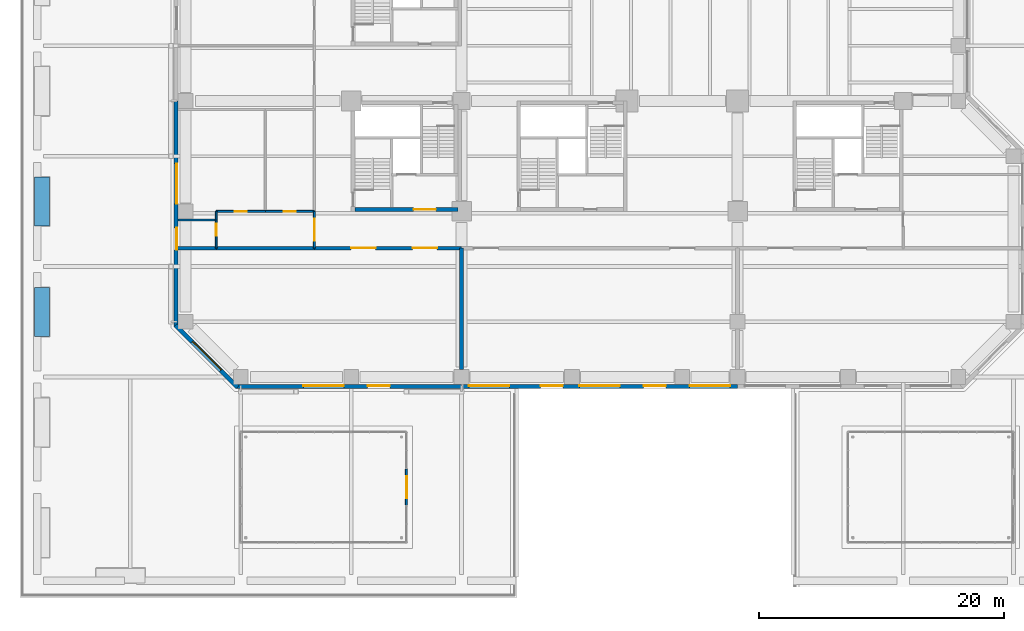
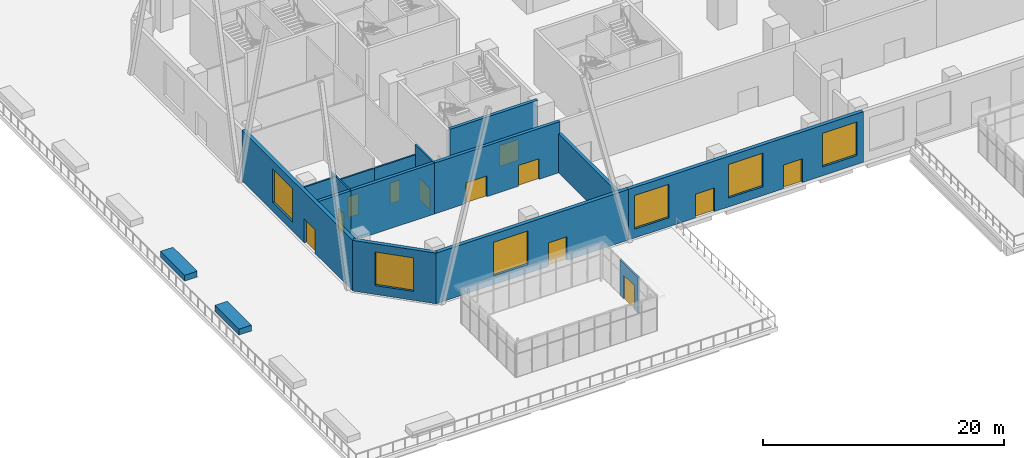
# One storey, part 20 of 33: 18 walls, 12 doors, 6 windows, 18 openings.
"""IFC4 building model written with IfcOpenShell, lengths in metres."""

from ifc_helpers import new_model, si_unit, direction, frame, frame_2d, origin, place, context, subcontext, project, spatial, rectangle, extrude, material, layer, layer_set, constituent, constituent_set, type_object, element, fill, save


model = new_model("IFC4")

# Units and contexts
model_context = context("Model", 3, precision=1e-05, world=origin(), true_north=direction((0.0, 1.0)))
body_context = subcontext(model_context, "Body", "Model", "MODEL_VIEW")
ifc_project = project(units=[si_unit("LENGTHUNIT", "METRE"), si_unit("AREAUNIT", "SQUARE_METRE"), si_unit("VOLUMEUNIT", "CUBIC_METRE"), si_unit("PLANEANGLEUNIT", "RADIAN"), si_unit("MASSUNIT", "GRAM", prefix="KILO")], contexts=[model_context])

# Site, building, storey
site_placement = place(None, origin())
site = spatial("IfcSite", under=ifc_project, at=site_placement, CompositionType="ELEMENT")
building_placement = place(site_placement, origin())
building = spatial("IfcBuilding", under=site, at=building_placement, Name="Quoin Convention Tower", CompositionType="ELEMENT")
storey_placement = place(building_placement, frame((0.0, 0.0, 8.0)))
storey = spatial("IfcBuildingStorey", under=building, at=storey_placement, Name="L01", CompositionType="ELEMENT", Elevation=8.0)

# Walls
ifc_material_1 = material(Name="Plasterboard")
ifc_layer_1 = layer(ifc_material_1, 0.012451171875, Name="Finish")
ifc_material_2 = material(Name="Steel stud framing", Category="steel")
ifc_layer_2 = layer(ifc_material_2, 0.27490234375, Name="Structure")
ifc_layer_3 = layer(ifc_material_1, 0.012451171875, Name="Finish")
ifc_layer_set_1 = layer_set([ifc_layer_1, ifc_layer_2, ifc_layer_3], Name="Steel stud framing")
wall_type_1 = type_object("IfcWallType", Name="Acoustic wall 300", PredefinedType="PARTITIONING", material=ifc_layer_set_1)
wall_1_placement = place(storey_placement, frame((12.89990234375, 28.5, 0.0), z_axis=(0.0, 0.0, 1.0), x_axis=(1.0, 0.0, 0.0)))
element("IfcWall", 1, at=wall_1_placement, inside=storey, type_object=wall_type_1, Name="pw-L01-004", PredefinedType="PARTITIONING", context=body_context, shape_type="SweptSolid", body=[
    extrude(rectangle(XDim=3.10009765625, YDim=0.300048828125, at=frame_2d((1.550048828125, 0.0))), origin(), (0.0, 0.0, 1.0), 5.14990234375),
])
wall_2_placement = place(storey_placement, frame((16.0, 28.5, 0.0), z_axis=(0.0, 0.0, 1.0), x_axis=(1.0, 0.0, 0.0)))
element("IfcWall", 2, at=wall_2_placement, inside=storey, type_object=wall_type_1, Name="pw-L01-005", PredefinedType="PARTITIONING", context=body_context, shape_type="SweptSolid", body=[
    extrude(rectangle(XDim=8.0, YDim=0.300048828125, at=frame_2d((4.0, 0.0))), origin(), (0.0, 0.0, 1.0), 5.14990234375),
])

# Wall, openings, doors
wall_3_placement = place(storey_placement, frame((24.0, 28.5, 0.0), z_axis=(0.0, 0.0, 1.0), x_axis=(1.0, 0.0, 0.0)))
wall_3 = element("IfcWall", 3, at=wall_3_placement, inside=storey, type_object=wall_type_1, Name="pw-L01-007", PredefinedType="PARTITIONING", context=body_context, shape_type="SweptSolid", body=[
    extrude(rectangle(XDim=12.0, YDim=0.300048828125, at=frame_2d((6.0, 0.0))), origin(), (0.0, 0.0, 1.0), 5.14990234375),
])
opening_1_placement = place(wall_3_placement, frame((3.0, 0.0, 0.0)))
opening_1 = element("IfcOpeningElement", 4, at=opening_1_placement, cuts=wall_3, Name="Opening DPD1-02", PredefinedType="OPENING", context=body_context, shape_type="SweptSolid", body=[
    extrude(rectangle(XDim=2.0, YDim=2.10009765625, at=frame_2d((1.0, 1.050048828125))), frame((0.0, 0.159912109375, 0.0), z_axis=(0.0, -1.0, 0.0), x_axis=(1.0, 0.0, 0.0)), (0.0, 0.0, 1.0), 0.320068359375),
])
opening_2_placement = place(wall_3_placement, frame((8.0, 0.0, 0.0)))
opening_2 = element("IfcOpeningElement", 5, at=opening_2_placement, cuts=wall_3, Name="Opening DPD1-03", PredefinedType="OPENING", context=body_context, shape_type="SweptSolid", body=[
    extrude(rectangle(XDim=2.0, YDim=2.10009765625, at=frame_2d((1.0, 1.050048828125))), frame((0.0, 0.159912109375, 0.0), z_axis=(0.0, -1.0, 0.0), x_axis=(1.0, 0.0, 0.0)), (0.0, 0.0, 1.0), 0.320068359375),
])
ifc_material_3 = material(Name="Steel door leaf", Category="steel")
door_type_1 = type_object("IfcDoorType", Name="Double leaf door 2000", OperationType="DOUBLE_DOOR_SINGLE_SWING", PredefinedType="DOOR", material=ifc_material_3)
door_1_placement = place(opening_1_placement, origin())
door_1 = element("IfcDoor", 6, at=door_1_placement, inside=storey, type_object=door_type_1, Name="dr-L01-001", OperationType="DOUBLE_DOOR_SINGLE_SWING", OverallHeight=2.10009765625, OverallWidth=2.0, PredefinedType="DOOR", context=body_context, shape_type="SweptSolid", body=[
    extrude(rectangle(XDim=2.0, YDim=2.10009765625, at=frame_2d((1.0, 1.050048828125))), frame((0.0, 0.02490234375, 0.0), z_axis=(0.0, -1.0, 0.0), x_axis=(1.0, 0.0, 0.0)), (0.0, 0.0, 1.0), 0.050048828125),
])
fill(opening_1, door_1)
door_2_placement = place(opening_2_placement, origin())
door_2 = element("IfcDoor", 7, at=door_2_placement, inside=storey, type_object=door_type_1, Name="dr-L01-002", OperationType="DOUBLE_DOOR_SINGLE_SWING", OverallHeight=2.10009765625, OverallWidth=2.0, PredefinedType="DOOR", context=body_context, shape_type="SweptSolid", body=[
    extrude(rectangle(XDim=2.0, YDim=2.10009765625, at=frame_2d((1.0, 1.050048828125))), frame((0.0, 0.02490234375, 0.0), z_axis=(0.0, -1.0, 0.0), x_axis=(1.0, 0.0, 0.0)), (0.0, 0.0, 1.0), 0.050048828125),
])
fill(opening_2, door_2)

# Wall
ifc_layer_4 = layer(ifc_material_1, 0.012451171875, Name="Finish")
ifc_layer_5 = layer(ifc_material_2, 0.27490234375, Name="Structure")
ifc_layer_6 = layer(ifc_material_1, 0.012451171875, Name="Finish")
ifc_layer_set_2 = layer_set([ifc_layer_4, ifc_layer_5, ifc_layer_6], Name="Steel stud framing")
wall_type_2 = type_object("IfcWallType", Name="Acoustic wall 300 under beam 1200", PredefinedType="PARTITIONING", material=ifc_layer_set_2)
wall_4_placement = place(storey_placement, frame((36.0, 18.60009765625, 0.0), z_axis=(0.0, 0.0, 1.0), x_axis=(0.0, 1.0, 0.0)))
element("IfcWall", 8, at=wall_4_placement, inside=storey, type_object=wall_type_2, Name="pw-L01-001", PredefinedType="PARTITIONING", context=body_context, shape_type="SweptSolid", body=[
    extrude(rectangle(XDim=9.89990234375, YDim=0.300048828125, at=frame_2d((4.949951171875, 0.0))), origin(), (0.0, 0.0, 1.0), 3.949951171875),
])

# Wall, opening, window
ifc_material_4 = material(Name="Brick masonry", Category="masonry")
ifc_layer_7 = layer(ifc_material_4, 0.35009765625)
ifc_layer_set_3 = layer_set([ifc_layer_7], Name="Brick masonry")
wall_type_3 = type_object("IfcWallType", Name="Brick facade wall", PredefinedType="STANDARD", material=ifc_layer_set_3)
wall_5_placement = place(storey_placement, frame((12.673583984375, 22.230224609375, 0.0), z_axis=(0.0, 0.0, 1.0), x_axis=(0.707106781187, -0.707106781187, 0.0)))
wall_5 = element("IfcWall", 9, at=wall_5_placement, inside=storey, type_object=wall_type_3, Name="fw-L01-13500_22500", PredefinedType="STANDARD", context=body_context, shape_type="SweptSolid", body=[
    extrude(rectangle(XDim=7.151123046875, YDim=0.35009765625, at=frame_2d((3.57568359375, 0.0))), origin(), (0.0, 0.0, 1.0), 5.125),
])
opening_3_placement = place(wall_5_placement, frame((1.925537109375, 0.0, 0.89990234375)))
opening_3 = element("IfcOpeningElement", 10, at=opening_3_placement, cuts=wall_5, Name="Opening W-04", PredefinedType="OPENING", context=body_context, shape_type="SweptSolid", body=[
    extrude(rectangle(XDim=3.300048828125, YDim=3.39990234375, at=frame_2d((1.64990234375, 1.699951171875))), frame((0.0, 0.18505859375, 0.0), z_axis=(0.0, -1.0, 0.0), x_axis=(1.0, 0.0, 0.0)), (0.0, 0.0, 1.0), 0.3701171875),
])
ifc_material_5 = material(Name="Aluminium", Category="aluminium")
ifc_constituent_1 = constituent(ifc_material_5, Name="Frame")
ifc_material_6 = material(Name="Insulated glass", Category="glass")
ifc_constituent_2 = constituent(ifc_material_6, Name="Glazing")
ifc_constituent_set_1 = constituent_set(constituents=[ifc_constituent_1, ifc_constituent_2], Name="Aluminium")
window_type = type_object("IfcWindowType", Name="Convention window L01", PartitioningType="TRIPLE_PANEL_VERTICAL", PredefinedType="WINDOW", material=ifc_constituent_set_1)
window_1_placement = place(opening_3_placement, origin())
window_1 = element("IfcWindow", 11, at=window_1_placement, inside=storey, type_object=window_type, Name="win-L01-15202_19702", OverallHeight=3.39990234375, OverallWidth=3.300048828125, PartitioningType="SINGLE_PANEL", PredefinedType="WINDOW", context=body_context, shape_type="SweptSolid", body=[
    extrude(rectangle(XDim=3.300048828125, YDim=3.39990234375, at=frame_2d((1.64990234375, 1.699951171875))), frame((0.0, 0.0849609375, 0.0), z_axis=(0.0, -1.0, 0.0), x_axis=(1.0, 0.0, 0.0)), (0.0, 0.0, 1.0), 0.06005859375),
])
fill(opening_3, window_1)

# Wall, openings, window, door
wall_6_placement = place(storey_placement, frame((17.6064453125, 17.22509765625, 0.0), z_axis=(0.0, 0.0, 1.0), x_axis=(1.0, 0.0, 0.0)))
wall_6 = element("IfcWall", 12, at=wall_6_placement, inside=storey, type_object=wall_type_3, Name="fw-L01-18000_18000", PredefinedType="STANDARD", context=body_context, shape_type="SweptSolid", body=[
    extrude(rectangle(XDim=18.3935546875, YDim=0.35009765625, at=frame_2d((9.19677734375, 0.0))), origin(), (0.0, 0.0, 1.0), 5.125),
])
opening_4_placement = place(wall_6_placement, frame((5.493408203125, 0.0, 0.89990234375)))
opening_4 = element("IfcOpeningElement", 13, at=opening_4_placement, cuts=wall_6, Name="Opening W-04", PredefinedType="OPENING", context=body_context, shape_type="SweptSolid", body=[
    extrude(rectangle(XDim=3.300048828125, YDim=3.39990234375, at=frame_2d((1.64990234375, 1.699951171875))), frame((0.0, 0.18505859375, 0.0), z_axis=(0.0, -1.0, 0.0), x_axis=(1.0, 0.0, 0.0)), (0.0, 0.0, 1.0), 0.3701171875),
])
opening_5_placement = place(wall_6_placement, frame((10.743408203125, 0.0, 0.0)))
opening_5 = element("IfcOpeningElement", 14, at=opening_5_placement, cuts=wall_6, Name="Opening D-T1", PredefinedType="OPENING", context=body_context, shape_type="SweptSolid", body=[
    extrude(rectangle(XDim=1.800048828125, YDim=2.39990234375, at=frame_2d((0.89990234375, 1.199951171875))), frame((0.0, 0.18505859375, 0.0), z_axis=(0.0, -1.0, 0.0), x_axis=(1.0, 0.0, 0.0)), (0.0, 0.0, 1.0), 0.3701171875),
])
window_2_placement = place(opening_4_placement, origin())
window_2 = element("IfcWindow", 15, at=window_2_placement, inside=storey, type_object=window_type, Name="win-L01-24750_17225", OverallHeight=3.39990234375, OverallWidth=3.300048828125, PartitioningType="SINGLE_PANEL", PredefinedType="WINDOW", context=body_context, shape_type="SweptSolid", body=[
    extrude(rectangle(XDim=3.300048828125, YDim=3.39990234375, at=frame_2d((1.64990234375, 1.699951171875))), frame((0.0, 0.0849609375, 0.0), z_axis=(0.0, -1.0, 0.0), x_axis=(1.0, 0.0, 0.0)), (0.0, 0.0, 1.0), 0.06005859375),
])
fill(opening_4, window_2)
ifc_constituent_3 = constituent(ifc_material_5, Name="Frame")
ifc_constituent_4 = constituent(ifc_material_6, Name="Glazing")
ifc_constituent_set_2 = constituent_set(constituents=[ifc_constituent_3, ifc_constituent_4], Name="Aluminium")
door_type_2 = type_object("IfcDoorType", Name="Glazed terrace door", OperationType="DOUBLE_DOOR_SINGLE_SWING", PredefinedType="DOOR", material=ifc_constituent_set_2)
door_3_placement = place(opening_5_placement, frame((1.800048828125, 0.0, 0.0), z_axis=(0.0, 0.0, 1.0), x_axis=(-1.0, 0.0, 0.0)))
door_3 = element("IfcDoor", 16, at=door_3_placement, inside=storey, type_object=door_type_2, Name="dr-L01-29250_17225", OperationType="DOUBLE_DOOR_SINGLE_SWING", OverallHeight=2.39990234375, OverallWidth=1.800048828125, PredefinedType="DOOR", context=body_context, shape_type="SweptSolid", body=[
    extrude(rectangle(XDim=1.800048828125, YDim=2.39990234375, at=frame_2d((0.89990234375, 1.199951171875))), frame((0.0, -0.02978515625, 0.0), z_axis=(0.0, -1.0, 0.0), x_axis=(1.0, 0.0, 0.0)), (0.0, 0.0, 1.0), 0.050048828125),
])
fill(opening_5, door_3)

# Wall, openings, windows, doors
wall_7_placement = place(storey_placement, frame((36.0, 17.22509765625, 0.0), z_axis=(0.0, 0.0, 1.0), x_axis=(1.0, 0.0, 0.0)))
wall_7 = element("IfcWall", 17, at=wall_7_placement, inside=storey, type_object=wall_type_3, Name="fw-L01-36000_18000", PredefinedType="STANDARD", context=body_context, shape_type="SweptSolid", body=[
    extrude(rectangle(XDim=22.5, YDim=0.35009765625, at=frame_2d((11.25, 0.0))), origin(), (0.0, 0.0, 1.0), 5.125),
])
opening_6_placement = place(wall_7_placement, frame((6.449951171875, 0.0, 0.0)))
opening_6 = element("IfcOpeningElement", 18, at=opening_6_placement, cuts=wall_7, Name="Opening D-T1", PredefinedType="OPENING", context=body_context, shape_type="SweptSolid", body=[
    extrude(rectangle(XDim=1.800048828125, YDim=2.39990234375, at=frame_2d((0.89990234375, 1.199951171875))), frame((0.0, 0.18505859375, 0.0), z_axis=(0.0, -1.0, 0.0), x_axis=(1.0, 0.0, 0.0)), (0.0, 0.0, 1.0), 0.3701171875),
])
opening_7_placement = place(wall_7_placement, frame((14.85009765625, 0.0, 0.0)))
opening_7 = element("IfcOpeningElement", 19, at=opening_7_placement, cuts=wall_7, Name="Opening D-T1", PredefinedType="OPENING", context=body_context, shape_type="SweptSolid", body=[
    extrude(rectangle(XDim=1.800048828125, YDim=2.39990234375, at=frame_2d((0.89990234375, 1.199951171875))), frame((0.0, 0.18505859375, 0.0), z_axis=(0.0, -1.0, 0.0), x_axis=(1.0, 0.0, 0.0)), (0.0, 0.0, 1.0), 0.3701171875),
])
opening_8_placement = place(wall_7_placement, frame((0.60009765625, 0.0, 0.89990234375)))
opening_8 = element("IfcOpeningElement", 20, at=opening_8_placement, cuts=wall_7, Name="Opening W-04", PredefinedType="OPENING", context=body_context, shape_type="SweptSolid", body=[
    extrude(rectangle(XDim=3.300048828125, YDim=3.39990234375, at=frame_2d((1.64990234375, 1.699951171875))), frame((0.0, 0.18505859375, 0.0), z_axis=(0.0, -1.0, 0.0), x_axis=(1.0, 0.0, 0.0)), (0.0, 0.0, 1.0), 0.3701171875),
])
opening_9_placement = place(wall_7_placement, frame((9.60009765625, 0.0, 0.89990234375)))
opening_9 = element("IfcOpeningElement", 21, at=opening_9_placement, cuts=wall_7, Name="Opening W-04", PredefinedType="OPENING", context=body_context, shape_type="SweptSolid", body=[
    extrude(rectangle(XDim=3.300048828125, YDim=3.39990234375, at=frame_2d((1.64990234375, 1.699951171875))), frame((0.0, 0.18505859375, 0.0), z_axis=(0.0, -1.0, 0.0), x_axis=(1.0, 0.0, 0.0)), (0.0, 0.0, 1.0), 0.3701171875),
])
opening_10_placement = place(wall_7_placement, frame((18.60009765625, 0.0, 0.89990234375)))
opening_10 = element("IfcOpeningElement", 22, at=opening_10_placement, cuts=wall_7, Name="Opening W-04", PredefinedType="OPENING", context=body_context, shape_type="SweptSolid", body=[
    extrude(rectangle(XDim=3.300048828125, YDim=3.39990234375, at=frame_2d((1.64990234375, 1.699951171875))), frame((0.0, 0.18505859375, 0.0), z_axis=(0.0, -1.0, 0.0), x_axis=(1.0, 0.0, 0.0)), (0.0, 0.0, 1.0), 0.3701171875),
])
window_3_placement = place(opening_8_placement, origin())
window_3 = element("IfcWindow", 23, at=window_3_placement, inside=storey, type_object=window_type, Name="win-L01-38250_17225", OverallHeight=3.39990234375, OverallWidth=3.300048828125, PartitioningType="SINGLE_PANEL", PredefinedType="WINDOW", context=body_context, shape_type="SweptSolid", body=[
    extrude(rectangle(XDim=3.300048828125, YDim=3.39990234375, at=frame_2d((1.64990234375, 1.699951171875))), frame((0.0, 0.0849609375, 0.0), z_axis=(0.0, -1.0, 0.0), x_axis=(1.0, 0.0, 0.0)), (0.0, 0.0, 1.0), 0.06005859375),
])
fill(opening_8, window_3)
window_4_placement = place(opening_9_placement, origin())
window_4 = element("IfcWindow", 24, at=window_4_placement, inside=storey, type_object=window_type, Name="win-L01-47250_17225", OverallHeight=3.39990234375, OverallWidth=3.300048828125, PartitioningType="SINGLE_PANEL", PredefinedType="WINDOW", context=body_context, shape_type="SweptSolid", body=[
    extrude(rectangle(XDim=3.300048828125, YDim=3.39990234375, at=frame_2d((1.64990234375, 1.699951171875))), frame((0.0, 0.0849609375, 0.0), z_axis=(0.0, -1.0, 0.0), x_axis=(1.0, 0.0, 0.0)), (0.0, 0.0, 1.0), 0.06005859375),
])
fill(opening_9, window_4)
window_5_placement = place(opening_10_placement, origin())
window_5 = element("IfcWindow", 25, at=window_5_placement, inside=storey, type_object=window_type, Name="win-L01-56250_17225", OverallHeight=3.39990234375, OverallWidth=3.300048828125, PartitioningType="SINGLE_PANEL", PredefinedType="WINDOW", context=body_context, shape_type="SweptSolid", body=[
    extrude(rectangle(XDim=3.300048828125, YDim=3.39990234375, at=frame_2d((1.64990234375, 1.699951171875))), frame((0.0, 0.0849609375, 0.0), z_axis=(0.0, -1.0, 0.0), x_axis=(1.0, 0.0, 0.0)), (0.0, 0.0, 1.0), 0.06005859375),
])
fill(opening_10, window_5)
door_4_placement = place(opening_6_placement, frame((1.800048828125, 0.0, 0.0), z_axis=(0.0, 0.0, 1.0), x_axis=(-1.0, 0.0, 0.0)))
door_4 = element("IfcDoor", 26, at=door_4_placement, inside=storey, type_object=door_type_2, Name="dr-L01-43350_17225", OperationType="DOUBLE_DOOR_SINGLE_SWING", OverallHeight=2.39990234375, OverallWidth=1.800048828125, PredefinedType="DOOR", context=body_context, shape_type="SweptSolid", body=[
    extrude(rectangle(XDim=1.800048828125, YDim=2.39990234375, at=frame_2d((0.89990234375, 1.199951171875))), frame((0.0, -0.02978515625, 0.0), z_axis=(0.0, -1.0, 0.0), x_axis=(1.0, 0.0, 0.0)), (0.0, 0.0, 1.0), 0.050048828125),
])
fill(opening_6, door_4)
door_5_placement = place(opening_7_placement, frame((1.800048828125, 0.0, 0.0), z_axis=(0.0, 0.0, 1.0), x_axis=(-1.0, 0.0, 0.0)))
door_5 = element("IfcDoor", 27, at=door_5_placement, inside=storey, type_object=door_type_2, Name="dr-L01-51750_17225", OperationType="DOUBLE_DOOR_SINGLE_SWING", OverallHeight=2.39990234375, OverallWidth=1.800048828125, PredefinedType="DOOR", context=body_context, shape_type="SweptSolid", body=[
    extrude(rectangle(XDim=1.800048828125, YDim=2.39990234375, at=frame_2d((0.89990234375, 1.199951171875))), frame((0.0, -0.02978515625, 0.0), z_axis=(0.0, -1.0, 0.0), x_axis=(1.0, 0.0, 0.0)), (0.0, 0.0, 1.0), 0.050048828125),
])
fill(opening_7, door_5)

# Wall, openings, window, door
wall_8_placement = place(storey_placement, frame((12.72509765625, 40.5, 0.0), z_axis=(0.0, 0.0, 1.0), x_axis=(0.0, -1.0, 0.0)))
wall_8 = element("IfcWall", 28, at=wall_8_placement, inside=storey, type_object=wall_type_3, Name="fw-L01-13500_40500", PredefinedType="STANDARD", context=body_context, shape_type="SweptSolid", body=[
    extrude(rectangle(XDim=18.3935546875, YDim=0.35009765625, at=frame_2d((9.19677734375, 0.0))), origin(), (0.0, 0.0, 1.0), 5.125),
])
opening_11_placement = place(wall_8_placement, frame((5.10009765625, 0.0, 0.89990234375)))
opening_11 = element("IfcOpeningElement", 29, at=opening_11_placement, cuts=wall_8, Name="Opening W-04", PredefinedType="OPENING", context=body_context, shape_type="SweptSolid", body=[
    extrude(rectangle(XDim=3.300048828125, YDim=3.39990234375, at=frame_2d((1.64990234375, 1.699951171875))), frame((0.0, 0.18505859375, 0.0), z_axis=(0.0, -1.0, 0.0), x_axis=(1.0, 0.0, 0.0)), (0.0, 0.0, 1.0), 0.3701171875),
])
opening_12_placement = place(wall_8_placement, frame((10.35009765625, 0.0, 0.0)))
opening_12 = element("IfcOpeningElement", 30, at=opening_12_placement, cuts=wall_8, Name="Opening D-T1", PredefinedType="OPENING", context=body_context, shape_type="SweptSolid", body=[
    extrude(rectangle(XDim=1.800048828125, YDim=2.39990234375, at=frame_2d((0.89990234375, 1.199951171875))), frame((0.0, 0.18505859375, 0.0), z_axis=(0.0, -1.0, 0.0), x_axis=(1.0, 0.0, 0.0)), (0.0, 0.0, 1.0), 0.3701171875),
])
window_6_placement = place(opening_11_placement, origin())
window_6 = element("IfcWindow", 31, at=window_6_placement, inside=storey, type_object=window_type, Name="win-L01-12725_33750", OverallHeight=3.39990234375, OverallWidth=3.300048828125, PartitioningType="SINGLE_PANEL", PredefinedType="WINDOW", context=body_context, shape_type="SweptSolid", body=[
    extrude(rectangle(XDim=3.300048828125, YDim=3.39990234375, at=frame_2d((1.64990234375, 1.699951171875))), frame((0.0, 0.0849609375, 0.0), z_axis=(0.0, -1.0, 0.0), x_axis=(1.0, 0.0, 0.0)), (0.0, 0.0, 1.0), 0.06005859375),
])
fill(opening_11, window_6)
door_6_placement = place(opening_12_placement, frame((1.800048828125, 0.0, 0.0), z_axis=(0.0, 0.0, 1.0), x_axis=(-1.0, 0.0, 0.0)))
door_6 = element("IfcDoor", 32, at=door_6_placement, inside=storey, type_object=door_type_2, Name="dr-L01-12725_29250", OperationType="DOUBLE_DOOR_SINGLE_SWING", OverallHeight=2.39990234375, OverallWidth=1.800048828125, PredefinedType="DOOR", context=body_context, shape_type="SweptSolid", body=[
    extrude(rectangle(XDim=1.800048828125, YDim=2.39990234375, at=frame_2d((0.89990234375, 1.199951171875))), frame((0.0, -0.02978515625, 0.0), z_axis=(0.0, -1.0, 0.0), x_axis=(1.0, 0.0, 0.0)), (0.0, 0.0, 1.0), 0.050048828125),
])
fill(opening_12, door_6)

# Wall, opening, door
ifc_layer_8 = layer(ifc_material_1, 0.012451171875, Name="Finish")
ifc_layer_9 = layer(ifc_material_2, 0.125, Name="Structure")
ifc_layer_10 = layer(ifc_material_1, 0.012451171875, Name="Finish")
ifc_layer_set_4 = layer_set([ifc_layer_8, ifc_layer_9, ifc_layer_10], Name="Steel stud framing")
wall_type_4 = type_object("IfcWallType", Name="Partition wall 150", PredefinedType="PARTITIONING", material=ifc_layer_set_4)
wall_9_placement = place(storey_placement, frame((24.0, 28.5, 0.0), z_axis=(0.0, 0.0, 1.0), x_axis=(0.0, 1.0, 0.0)))
wall_9 = element("IfcWall", 33, at=wall_9_placement, inside=storey, type_object=wall_type_4, Name="pw-L01-008", PredefinedType="PARTITIONING", context=body_context, shape_type="SweptSolid", body=[
    extrude(rectangle(XDim=3.0, YDim=0.14990234375, at=frame_2d((1.5, 0.0))), origin(), (0.0, 0.0, 1.0), 5.14990234375),
])
opening_13_placement = place(wall_9_placement, frame((0.60009765625, 0.0, 0.0)))
opening_13 = element("IfcOpeningElement", 34, at=opening_13_placement, cuts=wall_9, Name="Opening DPD1-04", PredefinedType="OPENING", context=body_context, shape_type="SweptSolid", body=[
    extrude(rectangle(XDim=1.800048828125, YDim=2.10009765625, at=frame_2d((0.89990234375, 1.050048828125))), frame((0.0, 0.0849609375, 0.0), z_axis=(0.0, -1.0, 0.0), x_axis=(1.0, 0.0, 0.0)), (0.0, 0.0, 1.0), 0.169921875),
])
door_type_3 = type_object("IfcDoorType", Name="Double leaf door 1800", OperationType="DOUBLE_DOOR_SINGLE_SWING", PredefinedType="DOOR", material=ifc_material_3)
door_7_placement = place(opening_13_placement, origin())
door_7 = element("IfcDoor", 35, at=door_7_placement, inside=storey, type_object=door_type_3, Name="dr-L01-010", OperationType="DOUBLE_DOOR_SINGLE_SWING", OverallHeight=2.10009765625, OverallWidth=1.800048828125, PredefinedType="DOOR", context=body_context, shape_type="SweptSolid", body=[
    extrude(rectangle(XDim=1.800048828125, YDim=2.10009765625, at=frame_2d((0.89990234375, 1.050048828125))), frame((0.0, 0.02490234375, 0.0), z_axis=(0.0, -1.0, 0.0), x_axis=(1.0, 0.0, 0.0)), (0.0, 0.0, 1.0), 0.050048828125),
])
fill(opening_13, door_7)

# Wall
wall_10_placement = place(storey_placement, frame((16.0, 30.800048828125, 0.0), z_axis=(0.0, 0.0, 1.0), x_axis=(0.0, 1.0, 0.0)))
element("IfcWall", 36, at=wall_10_placement, inside=storey, type_object=wall_type_4, Name="pw-L01-014", PredefinedType="PARTITIONING", context=body_context, shape_type="SweptSolid", body=[
    extrude(rectangle(XDim=0.699951171875, YDim=0.14990234375, at=frame_2d((0.35009765625, 0.0))), origin(), (0.0, 0.0, 1.0), 5.14990234375),
])

# Wall, opening, door
ifc_layer_11 = layer(ifc_material_1, 0.012451171875, Name="Finish")
ifc_layer_12 = layer(ifc_material_2, 0.125, Name="Structure")
ifc_layer_13 = layer(ifc_material_1, 0.012451171875, Name="Finish")
ifc_layer_set_5 = layer_set([ifc_layer_11, ifc_layer_12, ifc_layer_13], Name="Steel stud framing")
wall_type_5 = type_object("IfcWallType", Name="Partition wall 150 under beam 1000", PredefinedType="PARTITIONING", material=ifc_layer_set_5)
wall_11_placement = place(storey_placement, frame((16.0, 31.5, 0.0), z_axis=(0.0, 0.0, 1.0), x_axis=(1.0, 0.0, 0.0)))
wall_11 = element("IfcWall", 37, at=wall_11_placement, inside=storey, type_object=wall_type_5, Name="pw-L01-015", PredefinedType="PARTITIONING", context=body_context, shape_type="SweptSolid", body=[
    extrude(rectangle(XDim=4.0, YDim=0.14990234375, at=frame_2d((2.0, 0.0))), origin(), (0.0, 0.0, 1.0), 4.14990234375),
])
opening_14_placement = place(wall_11_placement, frame((1.5, 0.0, 0.0)))
opening_14 = element("IfcOpeningElement", 38, at=opening_14_placement, cuts=wall_11, Name="Opening DPD1-10", PredefinedType="OPENING", context=body_context, shape_type="SweptSolid", body=[
    extrude(rectangle(XDim=1.0, YDim=2.10009765625, at=frame_2d((0.5, 1.050048828125))), frame((0.0, 0.0849609375, 0.0), z_axis=(0.0, -1.0, 0.0), x_axis=(1.0, 0.0, 0.0)), (0.0, 0.0, 1.0), 0.169921875),
])
door_type_4 = type_object("IfcDoorType", Name="Washroom door 1000", OperationType="SINGLE_SWING_RIGHT", PredefinedType="DOOR", material=ifc_material_3)
door_8_placement = place(opening_14_placement, origin())
door_8 = element("IfcDoor", 39, at=door_8_placement, inside=storey, type_object=door_type_4, Name="dr-L01-008", OperationType="SINGLE_SWING_RIGHT", OverallHeight=2.10009765625, OverallWidth=1.0, PredefinedType="DOOR", context=body_context, shape_type="SweptSolid", body=[
    extrude(rectangle(XDim=1.0, YDim=2.10009765625, at=frame_2d((0.5, 1.050048828125))), frame((0.0, 0.02490234375, 0.0), z_axis=(0.0, -1.0, 0.0), x_axis=(1.0, 0.0, 0.0)), (0.0, 0.0, 1.0), 0.050048828125),
])
fill(opening_14, door_8)

wall_12_placement = place(storey_placement, frame((20.0, 31.5, 0.0), z_axis=(0.0, 0.0, 1.0), x_axis=(1.0, 0.0, 0.0)))
wall_12 = element("IfcWall", 40, at=wall_12_placement, inside=storey, type_object=wall_type_5, Name="pw-L01-016", PredefinedType="PARTITIONING", context=body_context, shape_type="SweptSolid", body=[
    extrude(rectangle(XDim=4.0, YDim=0.14990234375, at=frame_2d((2.0, 0.0))), origin(), (0.0, 0.0, 1.0), 4.14990234375),
])
opening_15_placement = place(wall_12_placement, frame((1.5, 0.0, 0.0)))
opening_15 = element("IfcOpeningElement", 41, at=opening_15_placement, cuts=wall_12, Name="Opening DPD1-11", PredefinedType="OPENING", context=body_context, shape_type="SweptSolid", body=[
    extrude(rectangle(XDim=1.0, YDim=2.10009765625, at=frame_2d((0.5, 1.050048828125))), frame((0.0, 0.0849609375, 0.0), z_axis=(0.0, -1.0, 0.0), x_axis=(1.0, 0.0, 0.0)), (0.0, 0.0, 1.0), 0.169921875),
])
door_9_placement = place(opening_15_placement, origin())
door_9 = element("IfcDoor", 42, at=door_9_placement, inside=storey, type_object=door_type_4, Name="dr-L01-009", OperationType="SINGLE_SWING_RIGHT", OverallHeight=2.10009765625, OverallWidth=1.0, PredefinedType="DOOR", context=body_context, shape_type="SweptSolid", body=[
    extrude(rectangle(XDim=1.0, YDim=2.10009765625, at=frame_2d((0.5, 1.050048828125))), frame((0.0, 0.02490234375, 0.0), z_axis=(0.0, -1.0, 0.0), x_axis=(1.0, 0.0, 0.0)), (0.0, 0.0, 1.0), 0.050048828125),
])
fill(opening_15, door_9)

ifc_material_7 = material(Name="Steel Grade 350", Category="steel")
ifc_layer_14 = layer(ifc_material_7, 0.1298828125, Name="Structure")
ifc_layer_15 = layer(ifc_material_6, 0.02001953125, Name="Glazing")
ifc_layer_set_6 = layer_set([ifc_layer_14, ifc_layer_15], Name="Steel Grade 350")
wall_type_6 = type_object("IfcWallType", Name="Pavilion frame wall", PredefinedType="STANDARD", material=ifc_layer_set_6)
wall_13_placement = place(storey_placement, frame((31.5, 7.5, 0.0), z_axis=(0.0, 0.0, 1.0), x_axis=(0.0, 1.0, 0.0)))
wall_13 = element("IfcWall", 43, at=wall_13_placement, inside=storey, type_object=wall_type_6, Name="fw-PAV-W0-31500_7500", PredefinedType="STANDARD", context=body_context, shape_type="SweptSolid", body=[
    extrude(rectangle(XDim=3.0, YDim=0.14990234375, at=frame_2d((1.5, 0.0))), origin(), (0.0, 0.0, 1.0), 3.60009765625),
])
opening_16_placement = place(wall_13_placement, frame((0.60009765625, 0.0, 0.0)))
opening_16 = element("IfcOpeningElement", 44, at=opening_16_placement, cuts=wall_13, Name="Opening D-T7", PredefinedType="OPENING", context=body_context, shape_type="SweptSolid", body=[
    extrude(rectangle(XDim=1.800048828125, YDim=2.39990234375, at=frame_2d((0.89990234375, 1.199951171875))), frame((0.0, 0.0849609375, 0.0), z_axis=(0.0, -1.0, 0.0), x_axis=(1.0, 0.0, 0.0)), (0.0, 0.0, 1.0), 0.169921875),
])
ifc_constituent_5 = constituent(ifc_material_5, Name="Frame")
ifc_constituent_6 = constituent(ifc_material_6, Name="Glazing")
ifc_constituent_set_3 = constituent_set(constituents=[ifc_constituent_5, ifc_constituent_6], Name="Aluminium")
door_type_5 = type_object("IfcDoorType", Name="Pavilion door", OperationType="DOUBLE_DOOR_SINGLE_SWING", PredefinedType="DOOR", material=ifc_constituent_set_3)
door_10_placement = place(opening_16_placement, origin())
door_10 = element("IfcDoor", 45, at=door_10_placement, inside=storey, type_object=door_type_5, Name="dr-PAV-W0", OperationType="DOUBLE_DOOR_SINGLE_SWING", OverallHeight=2.39990234375, OverallWidth=1.800048828125, PredefinedType="DOOR", context=body_context, shape_type="SweptSolid", body=[
    extrude(rectangle(XDim=1.800048828125, YDim=2.39990234375, at=frame_2d((0.89990234375, 1.199951171875))), frame((0.0, 0.0, 0.0), z_axis=(0.0, -1.0, 0.0), x_axis=(1.0, 0.0, 0.0)), (0.0, 0.0, 1.0), 0.050048828125),
])
fill(opening_16, door_10)

# Walls
ifc_material_8 = material(Name="Concrete C40", Category="concrete")
ifc_layer_16 = layer(ifc_material_8, 1.199951171875)
ifc_layer_set_7 = layer_set([ifc_layer_16], Name="Concrete C40")
wall_type_7 = type_object("IfcWallType", Name="Planter bed", PredefinedType="STANDARD", material=ifc_layer_set_7)
for number, where, z_axis, x_axis, name in (
    (46, (1.800048828125, 21.300048828125, 0.0), (0.0, 0.0, 1.0), (0.0, 1.0, 0.0), "PLANTER L01 25"),
    (47, (1.800048828125, 30.300048828125, 0.0), (0.0, 0.0, 1.0), (0.0, 1.0, 0.0), "PLANTER L01 26"),
):
    element("IfcWall", number, at=place(storey_placement, frame(where, z_axis=z_axis, x_axis=x_axis)), inside=storey, type_object=wall_type_7, Name=name, PredefinedType="STANDARD", context=body_context, shape_type="SweptSolid", body=[
        extrude(rectangle(XDim=4.0, YDim=1.199951171875, at=frame_2d((2.0, 0.0))), origin(), (0.0, 0.0, 1.0), 0.60009765625),
    ])

# Wall, opening, door
ifc_material_9 = material(Name="Concrete C100 (100 MPa)", Category="concrete")
ifc_layer_17 = layer(ifc_material_9, 0.300048828125)
ifc_layer_set_8 = layer_set([ifc_layer_17], Name="Concrete C100 (100 MPa)")
wall_type_8 = type_object("IfcWallType", Name="RC CORE WALL 300 C100", PredefinedType="SHEAR", material=ifc_layer_set_8)
wall_14_placement = place(storey_placement, frame((27.300048828125, 31.64990234375, 0.0), z_axis=(0.0, 0.0, 1.0), x_axis=(1.0, 0.0, 0.0)))
wall_14 = element("IfcWall", 48, at=wall_14_placement, inside=storey, type_object=wall_type_8, Name="cwl-P4-L01-S", PredefinedType="SHEAR", context=body_context, shape_type="SweptSolid", body=[
    extrude(rectangle(XDim=8.39990234375, YDim=0.300048828125, at=frame_2d((4.199951171875, 0.0))), origin(), (0.0, 0.0, 1.0), 5.5),
])
opening_17_placement = place(wall_14_placement, frame((4.800048828125, 0.0, 0.0)))
opening_17 = element("IfcOpeningElement", 49, at=opening_17_placement, cuts=wall_14, Name="Opening DCV1-52", PredefinedType="OPENING", context=body_context, shape_type="SweptSolid", body=[
    extrude(rectangle(XDim=1.800048828125, YDim=2.10009765625, at=frame_2d((0.89990234375, 1.050048828125))), frame((0.0, 0.159912109375, 0.0), z_axis=(0.0, -1.0, 0.0), x_axis=(1.0, 0.0, 0.0)), (0.0, 0.0, 1.0), 0.320068359375),
])
door_type_6 = type_object("IfcDoorType", Name="Goods lobby door 1800 x 2100", OperationType="SINGLE_SWING_LEFT", PredefinedType="DOOR", material=ifc_material_3)
door_11_placement = place(opening_17_placement, origin())
door_11 = element("IfcDoor", 50, at=door_11_placement, inside=storey, type_object=door_type_6, Name="cd-P4-L01-R2-S", OperationType="SINGLE_SWING_LEFT", OverallHeight=2.10009765625, OverallWidth=1.800048828125, PredefinedType="DOOR", context=body_context, shape_type="SweptSolid", body=[
    extrude(rectangle(XDim=1.800048828125, YDim=2.10009765625, at=frame_2d((0.89990234375, 1.050048828125))), frame((0.0, 0.02490234375, 0.0), z_axis=(0.0, -1.0, 0.0), x_axis=(1.0, 0.0, 0.0)), (0.0, 0.0, 1.0), 0.050048828125),
])
fill(opening_17, door_11)

ifc_layer_18 = layer(ifc_material_1, 0.012451171875, Name="Finish")
ifc_layer_19 = layer(ifc_material_2, 0.125, Name="Structure")
ifc_layer_20 = layer(ifc_material_1, 0.012451171875, Name="Finish")
ifc_layer_set_9 = layer_set([ifc_layer_18, ifc_layer_19, ifc_layer_20], Name="Steel stud framing")
wall_type_9 = type_object("IfcWallType", Name="Wet area wall 150", PredefinedType="PARTITIONING", material=ifc_layer_set_9)
wall_15_placement = place(storey_placement, frame((16.0, 28.5, 0.0), z_axis=(0.0, 0.0, 1.0), x_axis=(0.0, 1.0, 0.0)))
wall_15 = element("IfcWall", 51, at=wall_15_placement, inside=storey, type_object=wall_type_9, Name="pw-L01-006", PredefinedType="PARTITIONING", context=body_context, shape_type="SweptSolid", body=[
    extrude(rectangle(XDim=2.300048828125, YDim=0.14990234375, at=frame_2d((1.14990234375, 0.0))), origin(), (0.0, 0.0, 1.0), 5.14990234375),
])
opening_18_placement = place(wall_15_placement, frame((1.0, 0.0, 0.0)))
opening_18 = element("IfcOpeningElement", 52, at=opening_18_placement, cuts=wall_15, Name="Opening DPD1-01", PredefinedType="OPENING", context=body_context, shape_type="SweptSolid", body=[
    extrude(rectangle(XDim=1.0, YDim=2.10009765625, at=frame_2d((0.5, 1.050048828125))), frame((0.0, 0.0849609375, 0.0), z_axis=(0.0, -1.0, 0.0), x_axis=(1.0, 0.0, 0.0)), (0.0, 0.0, 1.0), 0.169921875),
])
door_12_placement = place(opening_18_placement, origin())
door_12 = element("IfcDoor", 53, at=door_12_placement, inside=storey, type_object=door_type_4, Name="dr-L01-007", OperationType="SINGLE_SWING_RIGHT", OverallHeight=2.10009765625, OverallWidth=1.0, PredefinedType="DOOR", context=body_context, shape_type="SweptSolid", body=[
    extrude(rectangle(XDim=1.0, YDim=2.10009765625, at=frame_2d((0.5, 1.050048828125))), frame((0.0, 0.02490234375, 0.0), z_axis=(0.0, -1.0, 0.0), x_axis=(1.0, 0.0, 0.0)), (0.0, 0.0, 1.0), 0.050048828125),
])
fill(opening_18, door_12)

# Wall
wall_16_placement = place(storey_placement, frame((12.89990234375, 30.800048828125, 0.0), z_axis=(0.0, 0.0, 1.0), x_axis=(1.0, 0.0, 0.0)))
element("IfcWall", 54, at=wall_16_placement, inside=storey, type_object=wall_type_9, Name="pw-L01-013", PredefinedType="PARTITIONING", context=body_context, shape_type="SweptSolid", body=[
    extrude(rectangle(XDim=3.10009765625, YDim=0.14990234375, at=frame_2d((1.550048828125, 0.0))), origin(), (0.0, 0.0, 1.0), 5.14990234375),
])

save(model, "model.ifc")
